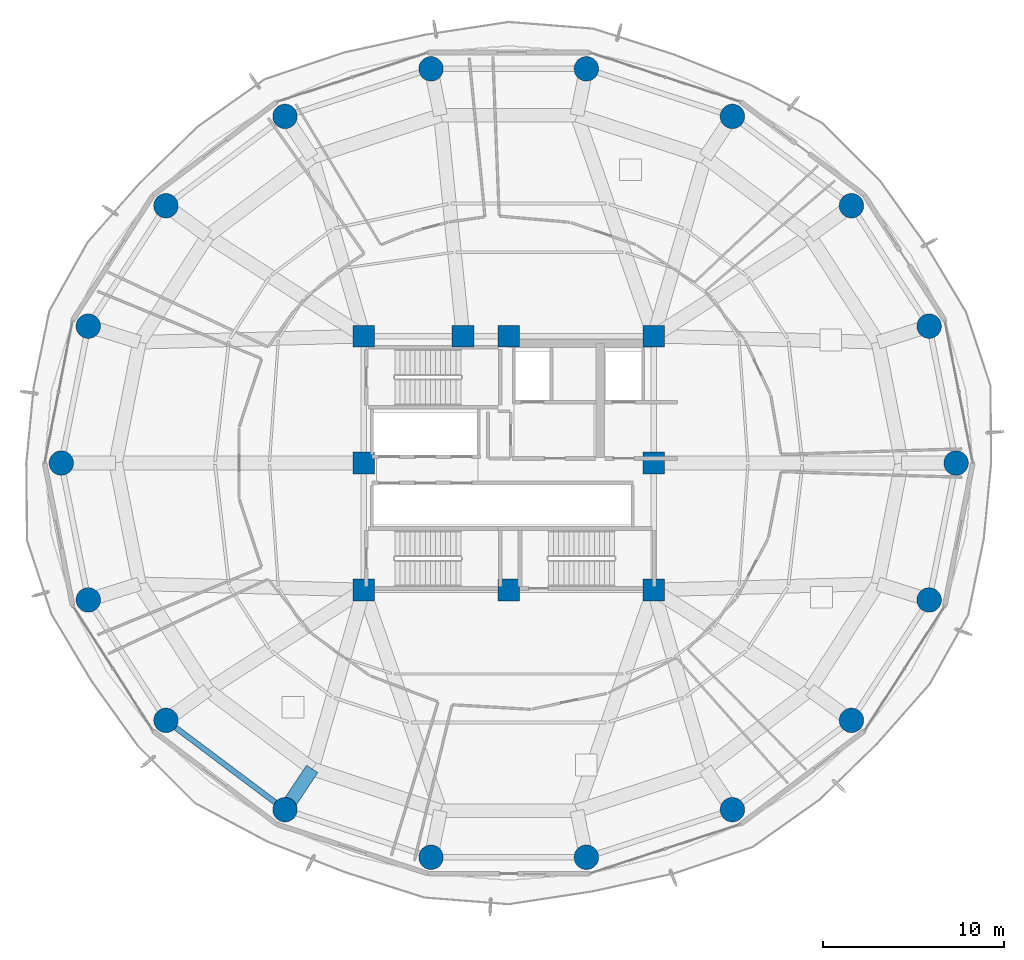
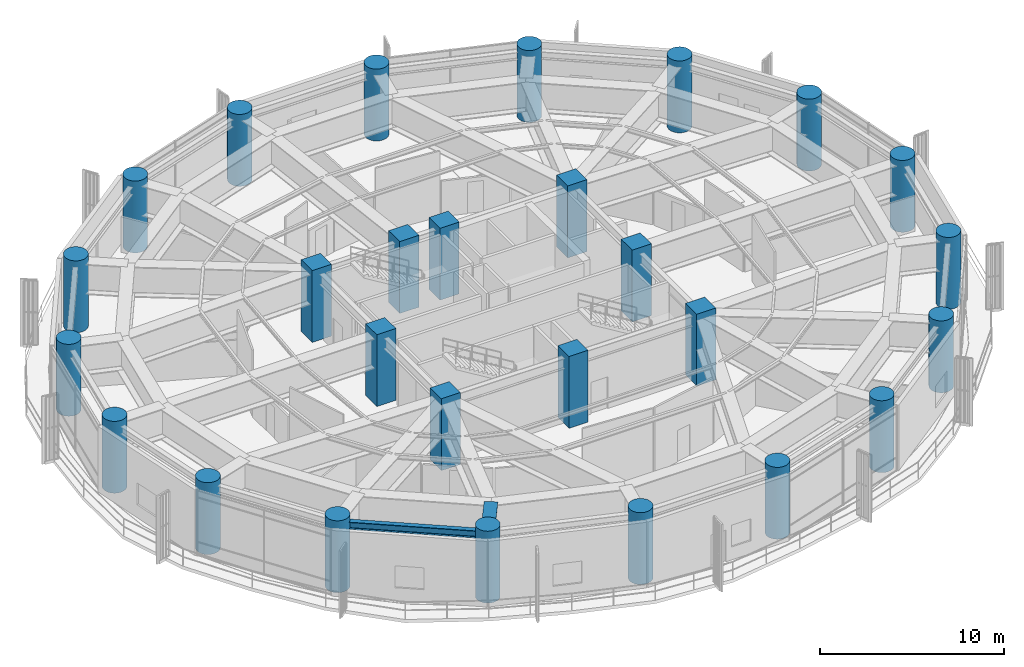
# One storey, part 1 of 34: 27 columns, 2 beams.
"""IFC4 building model written with IfcOpenShell, lengths in metres."""

from ifc_helpers import new_model, si_unit, direction, frame, origin, origin_2d, place, context, subcontext, project, spatial, rectangle, circle, i_section, extrude, material, material_profile, profile_set, type_object, element, save


model = new_model("IFC4")

# Units and contexts
model_context = context("Model", 3, precision=1e-05, world=origin(), true_north=direction((0.0, 1.0)))
body_context = subcontext(model_context, "Body", "Model", "MODEL_VIEW")
ifc_project = project(units=[si_unit("LENGTHUNIT", "METRE"), si_unit("AREAUNIT", "SQUARE_METRE"), si_unit("VOLUMEUNIT", "CUBIC_METRE"), si_unit("PLANEANGLEUNIT", "RADIAN"), si_unit("MASSUNIT", "GRAM", prefix="KILO")], contexts=[model_context])

# Site, building, storey
site_placement = place(None, origin())
site = spatial("IfcSite", under=ifc_project, at=site_placement, CompositionType="ELEMENT")
building_placement = place(site_placement, origin())
building = spatial("IfcBuilding", under=site, at=building_placement, Name="Kelanora Arch Commons", CompositionType="ELEMENT")
storey_placement = place(building_placement, frame((0.0, 0.0, 125.10009765625)))
storey = spatial("IfcBuildingStorey", under=building, at=storey_placement, Name="L32", CompositionType="ELEMENT", Elevation=125.10009765625)

# Columns
ifc_material_1 = material(Name="Concrete C60/75", Category="concrete")
ifc_material_profile_1 = material_profile(ifc_material_1, circle(Radius=0.675048828125, at=origin_2d()), Name="RCC1350")
ifc_profile_set_1 = profile_set([ifc_material_profile_1], Name="Concrete C60/75")
column_type_1 = type_object("IfcColumnType", Name="COL-PERIM-Z2", PredefinedType="COLUMN", material=ifc_profile_set_1)
for number, where, z_axis, x_axis, name in (
    (1, (98.679931640625, 58.0, 0.0), (0.0, 0.0, 1.0), (1.0, 0.0, 0.0), "Perimeter Ring Column CP-00 L32"),
    (2, (97.191650390625, 65.5517578125, 0.0), (0.0, 0.0, 1.0), (1.0, 0.0, 0.0), "Perimeter Ring Column CP-02 L32"),
    (3, (92.906005859375, 72.19287109375, 0.0), (0.0, 0.0, 1.0), (1.0, 0.0, 0.0), "Perimeter Ring Column CP-04 L32"),
    (4, (86.340087890625, 77.121826171875, 0.0), (0.0, 0.0, 1.0), (1.0, 0.0, 0.0), "Perimeter Ring Column CP-06 L32"),
    (5, (78.28564453125, 79.74462890625, 0.0), (0.0, 0.0, 1.0), (1.0, 0.0, 0.0), "Perimeter Ring Column CP-08 L32"),
    (6, (69.71435546875, 79.74462890625, 0.0), (0.0, 0.0, 1.0), (1.0, 0.0, 0.0), "Perimeter Ring Column CP-10 L32"),
    (7, (61.659912109375, 77.121826171875, 0.0), (0.0, 0.0, 1.0), (1.0, 0.0, 0.0), "Perimeter Ring Column CP-12 L32"),
    (8, (55.093994140625, 72.19287109375, 0.0), (0.0, 0.0, 1.0), (1.0, 0.0, 0.0), "Perimeter Ring Column CP-14 L32"),
    (9, (50.808349609375, 65.5517578125, 0.0), (0.0, 0.0, 1.0), (1.0, 0.0, 0.0), "Perimeter Ring Column CP-16 L32"),
    (10, (49.320068359375, 58.0, 0.0), (0.0, 0.0, 1.0), (1.0, 0.0, 0.0), "Perimeter Ring Column CP-18 L32"),
    (11, (50.808349609375, 50.4482421875, 0.0), (0.0, 0.0, 1.0), (1.0, 0.0, 0.0), "Perimeter Ring Column CP-20 L32"),
    (12, (55.093994140625, 43.80712890625, 0.0), (0.0, 0.0, 1.0), (1.0, 0.0, 0.0), "Perimeter Ring Column CP-22 L32"),
    (13, (61.659912109375, 38.878173828125, 0.0), (0.0, 0.0, 1.0), (1.0, 0.0, 0.0), "Perimeter Ring Column CP-24 L32"),
    (14, (69.71435546875, 36.25537109375, 0.0), (0.0, 0.0, 1.0), (1.0, 0.0, 0.0), "Perimeter Ring Column CP-26 L32"),
    (15, (78.28564453125, 36.25537109375, 0.0), (0.0, 0.0, 1.0), (1.0, 0.0, 0.0), "Perimeter Ring Column CP-28 L32"),
    (16, (86.340087890625, 38.878173828125, 0.0), (0.0, 0.0, 1.0), (1.0, 0.0, 0.0), "Perimeter Ring Column CP-30 L32"),
    (17, (92.906005859375, 43.80712890625, 0.0), (0.0, 0.0, 1.0), (1.0, 0.0, 0.0), "Perimeter Ring Column CP-32 L32"),
    (18, (97.191650390625, 50.4482421875, 0.0), (0.0, 0.0, 1.0), (1.0, 0.0, 0.0), "Perimeter Ring Column CP-34 L32"),
):
    element("IfcColumn", number, at=place(storey_placement, frame(where, z_axis=z_axis, x_axis=x_axis)), inside=storey, type_object=column_type_1, Name=name, PredefinedType="COLUMN", context=body_context, shape_type="SweptSolid", body=[
        extrude(circle(Radius=0.675048828125, at=origin_2d()), origin(), (0.0, 0.0, 1.0), 4.760009765625),
    ])
ifc_material_profile_2 = material_profile(ifc_material_1, rectangle(XDim=1.199951171875, YDim=1.199951171875, at=origin_2d()), Name="RC1200x1200")
ifc_profile_set_2 = profile_set([ifc_material_profile_2], Name="Concrete C60/75")
column_type_2 = type_object("IfcColumnType", Name="COL-PIL-MID", PredefinedType="PILASTER", material=ifc_profile_set_2)
for number, where, z_axis, x_axis, name in (
    (19, (66.0, 51.0, 0.0), (0.0, 0.0, 1.0), (1.0, 0.0, 0.0), "Core Pilaster Column CP1 L32"),
    (20, (74.0, 51.0, 0.0), (0.0, 0.0, 1.0), (1.0, 0.0, 0.0), "Core Pilaster Column CP2 L32"),
    (21, (82.0, 51.0, 0.0), (0.0, 0.0, 1.0), (1.0, 0.0, 0.0), "Core Pilaster Column CP3 L32"),
    (22, (82.0, 58.0, 0.0), (0.0, 0.0, 1.0), (1.0, 0.0, 0.0), "Core Pilaster Column CP4 L32"),
    (23, (82.0, 65.0, 0.0), (0.0, 0.0, 1.0), (1.0, 0.0, 0.0), "Core Pilaster Column CP5 L32"),
    (24, (74.0, 65.0, 0.0), (0.0, 0.0, 1.0), (1.0, 0.0, 0.0), "Core Pilaster Column CP6 L32"),
    (25, (71.47998046875, 65.0, 0.0), (0.0, 0.0, 1.0), (1.0, 0.0, 0.0), "Core Pilaster Column CP9 L32"),
    (26, (66.0, 65.0, 0.0), (0.0, 0.0, 1.0), (1.0, 0.0, 0.0), "Core Pilaster Column CP7 L32"),
    (27, (66.0, 58.0, 0.0), (0.0, 0.0, 1.0), (1.0, 0.0, 0.0), "Core Pilaster Column CP8 L32"),
):
    element("IfcColumn", number, at=place(storey_placement, frame(where, z_axis=z_axis, x_axis=x_axis)), inside=storey, type_object=column_type_2, Name=name, PredefinedType="PILASTER", context=body_context, shape_type="SweptSolid", body=[
        extrude(rectangle(XDim=1.199951171875, YDim=1.199951171875, at=origin_2d()), origin(), (0.0, 0.0, 1.0), 4.760009765625),
    ])

# Beams
ifc_material_2 = material(Name="Steel S355", Category="steel")
ifc_material_profile_3 = material_profile(ifc_material_2, i_section(OverallWidth=0.300048828125, OverallDepth=0.5, WebThickness=0.014404296875, FlangeThickness=0.028076171875, FilletRadius=0.027099609375, at=origin_2d()), Name="HEB500")
ifc_profile_set_3 = profile_set([ifc_material_profile_3], Name="Steel S355")
beam_type_1 = type_object("IfcBeamType", Name="BM-SPN-Z2", PredefinedType="SPANDREL", material=ifc_profile_set_3)
beam_1_placement = place(storey_placement, frame((55.093994140625, 43.80712890625, 4.10986328125), z_axis=(0.799735861602, -0.600352023123, 0.0), x_axis=(0.600352023123, 0.799735861602, 0.0)))
element("IfcBeam", 28, at=beam_1_placement, inside=storey, type_object=beam_type_1, Name="Perimeter Spandrel Beam BS-22 L32", PredefinedType="SPANDREL", context=body_context, shape_type="SweptSolid", body=[
    extrude(i_section(OverallWidth=0.300048828125, OverallDepth=0.5, WebThickness=0.014404296875, FlangeThickness=0.028076171875, FilletRadius=0.027099609375, at=origin_2d()), origin(), (0.0, 0.0, 1.0), 8.210205078125),
])
ifc_material_profile_4 = material_profile(ifc_material_2, i_section(OverallWidth=0.75, OverallDepth=2.0, WebThickness=0.034912109375, FlangeThickness=0.06005859375, FilletRadius=0.028076171875, at=origin_2d()), Name="PG2000x750")
ifc_profile_set_4 = profile_set([ifc_material_profile_4], Name="Steel S355")
beam_type_2 = type_object("IfcBeamType", Name="BM-XFER-SET", PredefinedType="USERDEFINED", material=ifc_profile_set_4)
beam_2_placement = place(storey_placement, frame((63.159912109375, 41.1298828125, 3.35986328125), z_axis=(-0.554408631196, -0.832244597252, 0.0), x_axis=(0.832244597252, -0.554408631196, 0.0)))
element("IfcBeam", 29, at=beam_2_placement, inside=storey, type_object=beam_type_2, Name="Radial Floor Girder BR-24 L32", ObjectType="TRANSFER_GIRDER", PredefinedType="USERDEFINED", context=body_context, shape_type="SweptSolid", body=[
    extrude(i_section(OverallWidth=0.75, OverallDepth=2.0, WebThickness=0.034912109375, FlangeThickness=0.06005859375, FilletRadius=0.028076171875, at=origin_2d()), origin(), (0.0, 0.0, 1.0), 2.70556640625),
])

save(model, "model.ifc")
